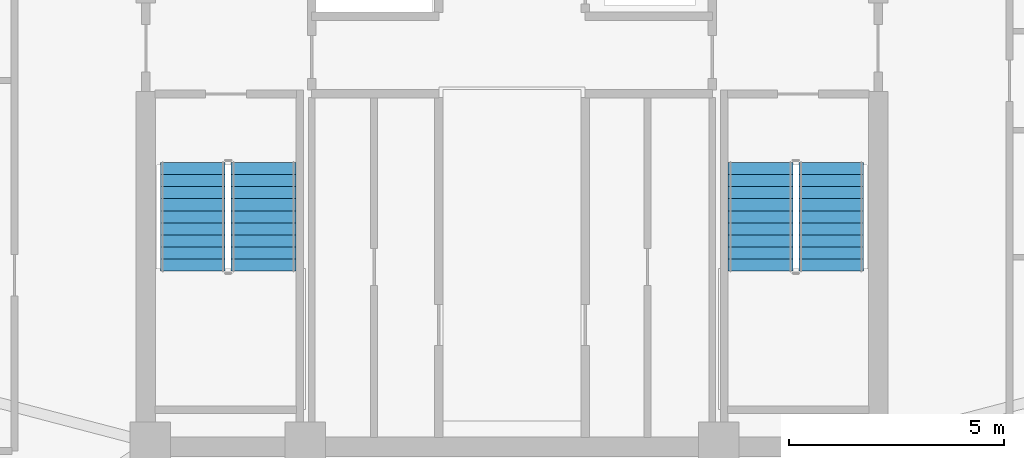
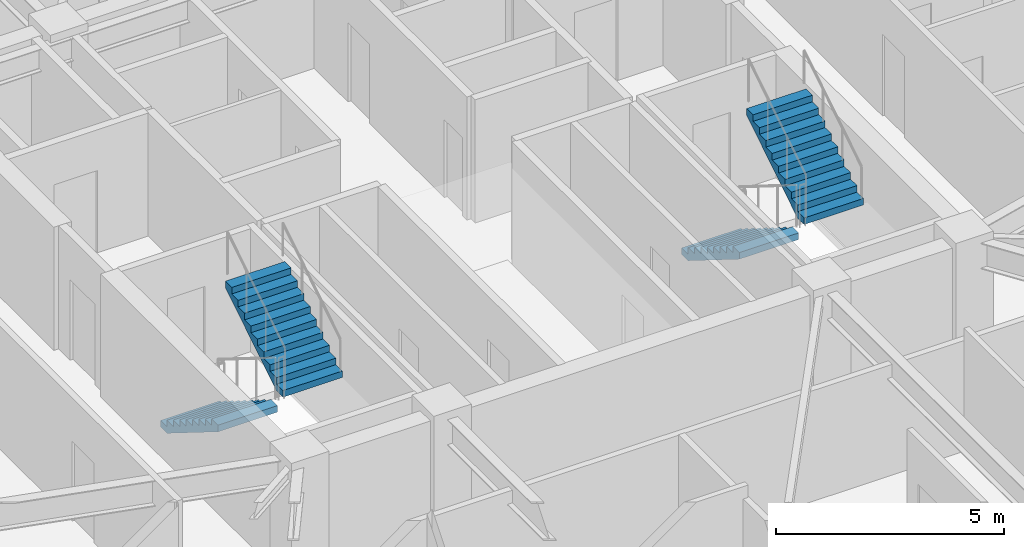
# One storey, part 12 of 17: 4 stair flights, 2 elements without a shape of their own.
"""IFC4 building model written with IfcOpenShell, lengths in metres."""

from ifc_helpers import new_model, si_unit, direction, frame, origin, place, context, subcontext, project, spatial, polyline, outline, extrude, material, type_object, element, aggregate, save


model = new_model("IFC4")

# Units and contexts
model_context = context("Model", 3, precision=1e-05, world=origin(), true_north=direction((0.0, 1.0)))
body_context = subcontext(model_context, "Body", "Model", "MODEL_VIEW")
ifc_project = project(units=[si_unit("LENGTHUNIT", "METRE"), si_unit("AREAUNIT", "SQUARE_METRE"), si_unit("VOLUMEUNIT", "CUBIC_METRE"), si_unit("PLANEANGLEUNIT", "RADIAN"), si_unit("MASSUNIT", "GRAM", prefix="KILO")], contexts=[model_context])

# Site, building, storey
site_placement = place(None, origin())
site = spatial("IfcSite", under=ifc_project, at=site_placement, CompositionType="ELEMENT")
building_placement = place(site_placement, origin())
building = spatial("IfcBuilding", under=site, at=building_placement, Name="Cairnveth Concourse Tower", CompositionType="ELEMENT")
storey_placement = place(building_placement, frame((0.0, 0.0, 269.0)))
storey = spatial("IfcBuildingStorey", under=building, at=storey_placement, Name="L74", CompositionType="ELEMENT", Elevation=269.0)

# Stair, stair flights
ifc_material = material(Name="Precast concrete N50 (50 MPa)", Category="concrete")
stair_type = type_object("IfcStairType", Name="CORE DOG-LEG FIRE STAIR 1500", PredefinedType="HALF_TURN_STAIR", material=ifc_material)
stair_1_placement = place(storey_placement, origin())
stair_1 = element("IfcStair", 1, at=stair_1_placement, inside=storey, type_object=stair_type, Name="L74 Fire-Isolated Stair ST-1", PredefinedType="HALF_TURN_STAIR")
stair_flight_type = type_object("IfcStairFlightType", Name="PRECAST CONCRETE STAIR FLIGHT 1500", PredefinedType="STRAIGHT", material=ifc_material)
stair_flight_1_placement = place(storey_placement, frame((44.590087890625, 37.10009765625, 0.0), z_axis=(0.0, 0.0, 1.0), x_axis=(0.0, -1.0, 0.0)))
stair_flight_1 = element("IfcStairFlight", 2, at=stair_flight_1_placement, type_object=stair_flight_type, Name="ST-1 flight 1", NumberOfRisers=10, NumberOfTreads=9, PredefinedType="STRAIGHT", RiserHeight=0.175, TreadLength=0.28, context=body_context, shape_type="SweptSolid", body=[
    extrude(outline(polyline([(0.0, 0.0), (0.0, 0.175048828125), (0.280029296875, 0.175048828125), (0.280029296875, 0.35009765625), (0.56005859375, 0.35009765625), (0.56005859375, 0.52490234375), (0.840087890625, 0.52490234375), (0.840087890625, 0.699951171875), (1.1201171875, 0.699951171875), (1.1201171875, 0.875), (1.39990234375, 0.875), (1.39990234375, 1.050048828125), (1.679931640625, 1.050048828125), (1.679931640625, 1.22509765625), (1.9599609375, 1.22509765625), (1.9599609375, 1.39990234375), (2.239990234375, 1.39990234375), (2.239990234375, 1.574951171875), (2.52001953125, 1.574951171875), (2.52001953125, 1.75), (2.52001953125, 1.398193359375), (0.28271484375, 0.0), (0.0, 0.0)])), frame((0.0, 0.75, 0.0), z_axis=(0.0, -1.0, 0.0), x_axis=(1.0, 0.0, 0.0)), (0.0, 0.0, 1.0), 1.5),
])
stair_flight_2_placement = place(storey_placement, frame((46.22998046875, 34.580078125, 1.75), z_axis=(0.0, 0.0, 1.0), x_axis=(0.0, 1.0, 0.0)))
stair_flight_2 = element("IfcStairFlight", 3, at=stair_flight_2_placement, type_object=stair_flight_type, Name="ST-1 flight 2", NumberOfRisers=10, NumberOfTreads=9, PredefinedType="STRAIGHT", RiserHeight=0.175, TreadLength=0.28, context=body_context, shape_type="SweptSolid", body=[
    extrude(outline(polyline([(0.0, 0.0), (0.0, 0.175048828125), (0.280029296875, 0.175048828125), (0.280029296875, 0.35009765625), (0.56005859375, 0.35009765625), (0.56005859375, 0.52490234375), (0.840087890625, 0.52490234375), (0.840087890625, 0.699951171875), (1.1201171875, 0.699951171875), (1.1201171875, 0.875), (1.39990234375, 0.875), (1.39990234375, 1.050048828125), (1.679931640625, 1.050048828125), (1.679931640625, 1.22509765625), (1.9599609375, 1.22509765625), (1.9599609375, 1.39990234375), (2.239990234375, 1.39990234375), (2.239990234375, 1.574951171875), (2.52001953125, 1.574951171875), (2.52001953125, 1.75), (2.52001953125, 1.398193359375), (0.28271484375, 0.0), (0.0, 0.0)])), frame((0.0, 0.75, 0.0), z_axis=(0.0, -1.0, 0.0), x_axis=(1.0, 0.0, 0.0)), (0.0, 0.0, 1.0), 1.5),
])
aggregate(stair_1, [stair_flight_1, stair_flight_2])

stair_2_placement = place(storey_placement, origin())
stair_2 = element("IfcStair", 4, at=stair_2_placement, inside=storey, type_object=stair_type, Name="L74 Fire-Isolated Stair ST-2", PredefinedType="HALF_TURN_STAIR")
stair_flight_3_placement = place(storey_placement, frame((57.77001953125, 37.10009765625, 0.0), z_axis=(0.0, 0.0, 1.0), x_axis=(0.0, -1.0, 0.0)))
stair_flight_3 = element("IfcStairFlight", 5, at=stair_flight_3_placement, type_object=stair_flight_type, Name="ST-2 flight 1", NumberOfRisers=10, NumberOfTreads=9, PredefinedType="STRAIGHT", RiserHeight=0.175, TreadLength=0.28, context=body_context, shape_type="SweptSolid", body=[
    extrude(outline(polyline([(0.0, 0.0), (0.0, 0.175048828125), (0.280029296875, 0.175048828125), (0.280029296875, 0.35009765625), (0.56005859375, 0.35009765625), (0.56005859375, 0.52490234375), (0.840087890625, 0.52490234375), (0.840087890625, 0.699951171875), (1.1201171875, 0.699951171875), (1.1201171875, 0.875), (1.39990234375, 0.875), (1.39990234375, 1.050048828125), (1.679931640625, 1.050048828125), (1.679931640625, 1.22509765625), (1.9599609375, 1.22509765625), (1.9599609375, 1.39990234375), (2.239990234375, 1.39990234375), (2.239990234375, 1.574951171875), (2.52001953125, 1.574951171875), (2.52001953125, 1.75), (2.52001953125, 1.398193359375), (0.28271484375, 0.0), (0.0, 0.0)])), frame((0.0, 0.75, 0.0), z_axis=(0.0, -1.0, 0.0), x_axis=(1.0, 0.0, 0.0)), (0.0, 0.0, 1.0), 1.5),
])
stair_flight_4_placement = place(storey_placement, frame((59.409912109375, 34.580078125, 1.75), z_axis=(0.0, 0.0, 1.0), x_axis=(0.0, 1.0, 0.0)))
stair_flight_4 = element("IfcStairFlight", 6, at=stair_flight_4_placement, type_object=stair_flight_type, Name="ST-2 flight 2", NumberOfRisers=10, NumberOfTreads=9, PredefinedType="STRAIGHT", RiserHeight=0.175, TreadLength=0.28, context=body_context, shape_type="SweptSolid", body=[
    extrude(outline(polyline([(0.0, 0.0), (0.0, 0.175048828125), (0.280029296875, 0.175048828125), (0.280029296875, 0.35009765625), (0.56005859375, 0.35009765625), (0.56005859375, 0.52490234375), (0.840087890625, 0.52490234375), (0.840087890625, 0.699951171875), (1.1201171875, 0.699951171875), (1.1201171875, 0.875), (1.39990234375, 0.875), (1.39990234375, 1.050048828125), (1.679931640625, 1.050048828125), (1.679931640625, 1.22509765625), (1.9599609375, 1.22509765625), (1.9599609375, 1.39990234375), (2.239990234375, 1.39990234375), (2.239990234375, 1.574951171875), (2.52001953125, 1.574951171875), (2.52001953125, 1.75), (2.52001953125, 1.398193359375), (0.28271484375, 0.0), (0.0, 0.0)])), frame((0.0, 0.75, 0.0), z_axis=(0.0, -1.0, 0.0), x_axis=(1.0, 0.0, 0.0)), (0.0, 0.0, 1.0), 1.5),
])
aggregate(stair_2, [stair_flight_3, stair_flight_4])

save(model, "model.ifc")
